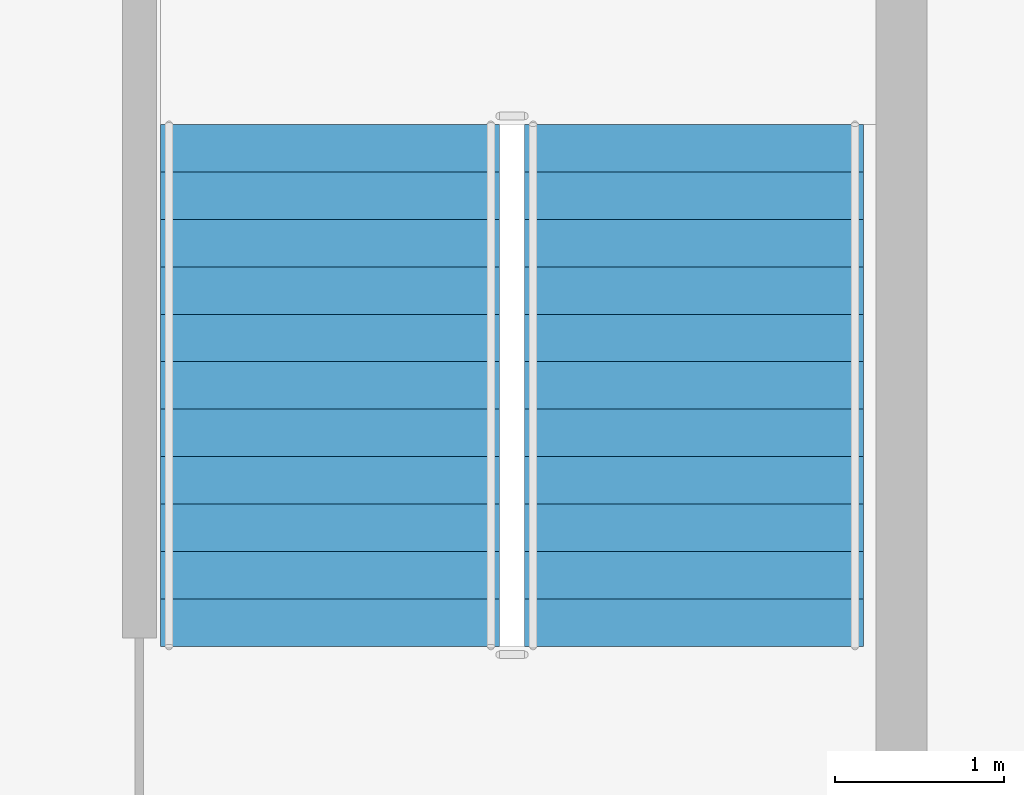
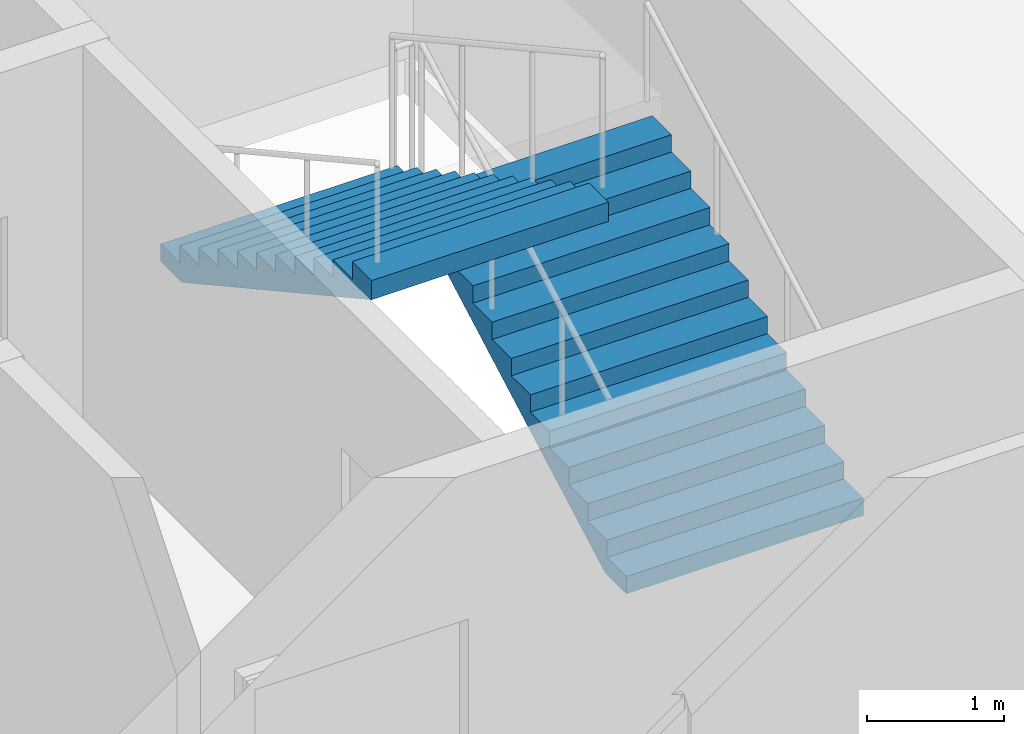
# One storey, part 9 of 11: 2 stair flights, 1 element without a shape of its own.
"""IFC4 building model written with IfcOpenShell, lengths in metres."""

import ifcopenshell
import ifcopenshell.guid

model = None  # the IFC model being written
_history = None  # IfcOwnerHistory: only IFC2X3 demands one
_inside = {}  # id of a spatial element -> (the spatial element, [elements in it])
_under = {}  # id of a project, library or spatial element -> (it, [spatial elements below it])
_declared = {}  # id of a project -> (the project, [libraries it declares])
_typed = {}  # id of a type object -> (the type object, [elements of that type])
_made_of = {}  # id of a material, layer set ... -> (it, [elements and type objects made of it])


def new_model(schema):
    """Start an empty IFC model of exactly this schema.

    Asked for "IFC4X3", IfcOpenShell would pick the latest addendum, in which some entities
    have other attributes; the version numbers below select the first issue.
    IFC2X3 requires an IfcOwnerHistory on every rooted entity: one is made here for all.
    """
    global model, _history
    if schema == "IFC4X3":
        model = ifcopenshell.file(schema_version=(4, 3, 0, 0))
    else:
        model = ifcopenshell.file(schema=schema)
    _inside.clear()
    _under.clear()
    _declared.clear()
    _typed.clear()
    _made_of.clear()
    _history = None
    if model.schema == "IFC2X3":
        org = make("IfcOrganization", Name="unknown")
        user = make(
            "IfcPersonAndOrganization",
            ThePerson=make("IfcPerson", FamilyName="unknown"),
            TheOrganization=org,
        )
        app = make(
            "IfcApplication",
            ApplicationDeveloper=org,
            Version="unknown",
            ApplicationFullName="unknown",
            ApplicationIdentifier="unknown",
        )
        _history = make(
            "IfcOwnerHistory",
            OwningUser=user,
            OwningApplication=app,
            ChangeAction="ADDED",
            CreationDate=0,
        )
    return model


def make(cls, **values):
    """One entity of the class cls with the attributes given. An attribute that is None is left unset."""
    return model.create_entity(
        cls, **{name: value for name, value in values.items() if value is not None}
    )


def rooted(cls, **values):
    """An entity with a GlobalId (a new one), such as an element, a storey or a relation."""
    return make(cls, GlobalId=ifcopenshell.guid.new(), OwnerHistory=_history, **values)


def si_unit(unit_type, name, prefix=None):
    """IfcSIUnit, for example si_unit("LENGTHUNIT", "METRE", prefix="MILLI")."""
    return make("IfcSIUnit", UnitType=unit_type, Prefix=prefix, Name=name)


def assignment(units):
    """IfcUnitAssignment: the units of a project."""
    return None if units is None else make("IfcUnitAssignment", Units=units)


def point(xyz):
    """IfcCartesianPoint."""
    return None if xyz is None else make("IfcCartesianPoint", Coordinates=xyz)


def direction(xyz):
    """IfcDirection."""
    return None if xyz is None else make("IfcDirection", DirectionRatios=xyz)


def frame(location, z_axis=None, x_axis=None):
    """IfcAxis2Placement3D, a coordinate frame: its origin and axes. An axis left out is left unset."""
    return make(
        "IfcAxis2Placement3D",
        Location=point(location),
        Axis=direction(z_axis),
        RefDirection=direction(x_axis),
    )


def origin():
    """The frame at (0, 0, 0) with its axes left unset."""
    return frame((0.0, 0.0, 0.0))


def place(relative_to, where):
    """IfcLocalPlacement: puts the frame where relative to a parent placement (None: the world)."""
    return make(
        "IfcLocalPlacement", PlacementRelTo=relative_to, RelativePlacement=where
    )


def context(
    kind, dimensions, precision=None, world=None, true_north=None, identifier=None
):
    """IfcGeometricRepresentationContext, for example the 3D "Model" context."""
    return make(
        "IfcGeometricRepresentationContext",
        ContextIdentifier=identifier,
        ContextType=kind,
        CoordinateSpaceDimension=dimensions,
        Precision=precision,
        WorldCoordinateSystem=world,
        TrueNorth=true_north,
    )


def subcontext(parent, identifier, kind, view, scale=None):
    """IfcGeometricRepresentationSubContext, for example "Body" below "Model"."""
    return make(
        "IfcGeometricRepresentationSubContext",
        ContextIdentifier=identifier,
        ContextType=kind,
        ParentContext=parent,
        TargetScale=scale,
        TargetView=view,
    )


def project(units=None, contexts=None):
    """IfcProject with its units and contexts."""
    return rooted(
        "IfcProject",
        Name="project",
        RepresentationContexts=contexts,
        UnitsInContext=assignment(units),
    )


def spatial(cls, under=None, at=None, **own):
    """A site, building, storey or space (cls), placed at a placement, below another one or the project."""
    s = rooted(cls, ObjectPlacement=at, **own)
    if under is not None:
        _under.setdefault(under.id(), (under, []))[1].append(s)
    return s


def point_list(points):
    """IfcCartesianPointList2D or 3D."""
    cls = (
        "IfcCartesianPointList2D" if len(points[0]) == 2 else "IfcCartesianPointList3D"
    )
    return make(cls, CoordList=points)


def polygons(points, faces, closed=None, point_numbers=None):
    """IfcPolygonalFaceSet: a face is its outer loop, then its inner loops; points numbered from 1."""
    made = []
    for loops in faces:
        if len(loops) == 1:
            made.append(make("IfcIndexedPolygonalFace", CoordIndex=loops[0]))
        else:
            made.append(
                make(
                    "IfcIndexedPolygonalFaceWithVoids",
                    CoordIndex=loops[0],
                    InnerCoordIndices=loops[1:],
                )
            )
    return make(
        "IfcPolygonalFaceSet",
        Coordinates=point_list(points),
        Closed=closed,
        Faces=made,
        PnIndex=point_numbers,
    )


def shape(context_of_items, identifier, shape_type, items):
    """IfcShapeRepresentation: the items that make up one representation, for example the "Body"."""
    return make(
        "IfcShapeRepresentation",
        ContextOfItems=context_of_items,
        RepresentationIdentifier=identifier,
        RepresentationType=shape_type,
        Items=items,
    )


def material(Name=None, Category=None):
    """IfcMaterial."""
    return make("IfcMaterial", Name=Name, Category=Category)


def made_of(thing, what):
    """Note that an element or type object is made of a material, layer set ...; save() writes the relation."""
    if what is not None:
        _made_of.setdefault(what.id(), (what, []))[1].append(thing)
    return thing


def type_object(cls, material=None, **own):
    """A type object (cls), such as IfcWallType, which elements share."""
    return made_of(rooted(cls, **own), material)


def element(
    cls,
    number,
    at=None,
    inside=None,
    cuts=None,
    type_object=None,
    material=None,
    context=None,
    identifier="Body",
    shape_type=None,
    held_by="IfcProductDefinitionShape",
    body=None,
    shapes=None,
    **own,
):
    """One element of the class cls, such as IfcWall. Its Tag is "e" and its number.

    at: its placement. inside: the storey or other place that contains it. cuts: it is an
    opening in that element (IfcRelVoidsElement). A single representation is given by context,
    identifier, shape_type and body (its items); several are given by shapes. held_by: the class
    of the entity that holds the representations. save() writes the other relations.
    """
    e = rooted(cls, Tag="e%d" % number, ObjectPlacement=at, **own)
    if body is not None:
        shapes = [shape(context, identifier, shape_type, body)]
    if shapes is not None:
        e.Representation = make(held_by, Representations=shapes)
    if inside is not None:
        _inside.setdefault(inside.id(), (inside, []))[1].append(e)
    if cuts is not None:
        rooted(
            "IfcRelVoidsElement", RelatingBuildingElement=cuts, RelatedOpeningElement=e
        )
    if type_object is not None:
        _typed.setdefault(type_object.id(), (type_object, []))[1].append(e)
    return made_of(e, material)


def aggregate(whole, parts):
    """IfcRelAggregates: a whole, such as a stair, and the parts it consists of."""
    return rooted("IfcRelAggregates", RelatingObject=whole, RelatedObjects=parts)


def save(model, path):
    """Write the relations noted so far, then the file.

    IfcRelAggregates (storeys below a building ...), IfcRelContainedInSpatialStructure (elements
    in a storey), IfcRelDefinesByType, IfcRelAssociatesMaterial and IfcRelDeclares: one each for
    every whole, place, type object, material and project.
    """
    for whole, parts in _under.values():
        aggregate(whole, parts)
    for where, things in _inside.values():
        rooted(
            "IfcRelContainedInSpatialStructure",
            RelatedElements=things,
            RelatingStructure=where,
        )
    for kind, things in _typed.values():
        rooted("IfcRelDefinesByType", RelatedObjects=things, RelatingType=kind)
    for what, things in _made_of.values():
        rooted("IfcRelAssociatesMaterial", RelatedObjects=things, RelatingMaterial=what)
    for by, libraries in _declared.values():
        rooted("IfcRelDeclares", RelatingContext=by, RelatedDefinitions=libraries)
    model.write(path)


model = new_model("IFC4")

# Units and contexts
model_context = context("Model", 3, precision=1e-05, world=origin(), true_north=direction((0.0, 1.0)))
body_context = subcontext(model_context, "Body", "Model", "MODEL_VIEW")
ifc_project = project(units=[si_unit("LENGTHUNIT", "METRE"), si_unit("AREAUNIT", "SQUARE_METRE"), si_unit("VOLUMEUNIT", "CUBIC_METRE"), si_unit("PLANEANGLEUNIT", "RADIAN"), si_unit("MASSUNIT", "GRAM", prefix="KILO")], contexts=[model_context])

# Site, building, storey
site_placement = place(None, origin())
site = spatial("IfcSite", under=ifc_project, at=site_placement, CompositionType="ELEMENT")
building_placement = place(site_placement, origin())
building = spatial("IfcBuilding", under=site, at=building_placement, Name="Caravel Reach Hotel and Residences", CompositionType="ELEMENT")
storey_placement = place(building_placement, frame((0.0, 0.0, 210.89990234375)))
storey = spatial("IfcBuildingStorey", under=building, at=storey_placement, Name="L53", CompositionType="ELEMENT", Elevation=210.89990234375)

# Stair, stair flights
ifc_material_1 = material(Name="Concrete C40", Category="concrete")
stair_type = type_object("IfcStairType", Name="Core stair", PredefinedType="HALF_TURN_STAIR", material=ifc_material_1)
stair_placement = place(storey_placement, origin())
stair = element("IfcStair", 1, at=stair_placement, inside=storey, type_object=stair_type, Name="L53 Exit stair B", PredefinedType="HALF_TURN_STAIR")
ifc_material_2 = material(Name="Concrete C40", Category="concrete")
stair_flight_type = type_object("IfcStairFlightType", Name="Core stair flight", PredefinedType="STRAIGHT", material=ifc_material_2)
stair_flight_1_placement = place(storey_placement, frame((43.77490234375, 24.64990234375, 0.0), z_axis=(0.0, 0.0, 1.0), x_axis=(0.0, 1.0, 0.0)))
stair_flight_1 = element("IfcStairFlight", 2, at=stair_flight_1_placement, type_object=stair_flight_type, Name="ST-B flight 1", NumberOfRisers=12, NumberOfTreads=11, PredefinedType="STRAIGHT", RiserHeight=0.154166667, TreadLength=0.28, context=body_context, shape_type="Tessellation", body=[
    polygons([(0.3107950034306102, 1.0, 0.0), (0.3107950034306102, 0.6666666666666667, 0.0), (0.3107950034306102, 0.33333333333333337, 0.0), (0.3107950034306102, 0.0, 0.0), (0.3107950034306102, -0.33333333333333326, 0.0), (0.3107950034306102, -0.6666666666666667, 0.0), (0.3107950034306102, -1.0, 0.0), (3.081, 1.0, 1.524711087717319), (3.081, 0.6666666666666667, 1.524711087717319), (3.081, 0.33333333333333337, 1.524711087717319), (3.081, 0.0, 1.524711087717319), (3.081, -0.33333333333333326, 1.524711087717319), (3.081, -0.6666666666666667, 1.524711087717319), (3.081, -1.0, 1.524711087717319), (3.081, 1.0, 1.695833337), (3.081, 0.6666666666666667, 1.695833337), (3.081, 0.33333333333333337, 1.695833337), (3.081, 0.0, 1.695833337), (3.081, -0.33333333333333326, 1.695833337), (3.081, -0.6666666666666667, 1.695833337), (3.081, -1.0, 1.695833337), (2.8000000000000003, 1.0, 1.695833337), (2.8000000000000003, 0.6666666666666667, 1.695833337), (2.8000000000000003, 0.33333333333333337, 1.695833337), (2.8000000000000003, 0.0, 1.695833337), (2.8000000000000003, -0.33333333333333326, 1.695833337), (2.8000000000000003, -0.6666666666666667, 1.695833337), (2.8000000000000003, -1.0, 1.695833337), (2.8000000000000003, 1.0, 1.5416666700000001), (2.8000000000000003, 0.6666666666666667, 1.5416666700000001), (2.8000000000000003, 0.33333333333333337, 1.5416666700000001), (2.8000000000000003, 0.0, 1.5416666700000001), (2.8000000000000003, -0.33333333333333326, 1.5416666700000001), (2.8000000000000003, -0.6666666666666667, 1.5416666700000001), (2.8000000000000003, -1.0, 1.5416666700000001), (2.5200000000000005, 1.0, 1.5416666700000001), (2.5200000000000005, 0.6666666666666667, 1.5416666700000001), (2.5200000000000005, 0.33333333333333337, 1.5416666700000001), (2.5200000000000005, 0.0, 1.5416666700000001), (2.5200000000000005, -0.33333333333333326, 1.5416666700000001), (2.5200000000000005, -0.6666666666666667, 1.5416666700000001), (2.5200000000000005, -1.0, 1.5416666700000001), (2.5200000000000005, 1.0, 1.387500003), (2.5200000000000005, 0.6666666666666667, 1.387500003), (2.5200000000000005, 0.33333333333333337, 1.387500003), (2.5200000000000005, 0.0, 1.387500003), (2.5200000000000005, -0.33333333333333326, 1.387500003), (2.5200000000000005, -0.6666666666666667, 1.387500003), (2.5200000000000005, -1.0, 1.387500003), (2.24, 1.0, 1.387500003), (2.24, 0.6666666666666667, 1.387500003), (2.24, 0.33333333333333337, 1.387500003), (2.24, 0.0, 1.387500003), (2.24, -0.33333333333333326, 1.387500003), (2.24, -0.6666666666666667, 1.387500003), (2.24, -1.0, 1.387500003), (2.24, 1.0, 1.233333336), (2.24, 0.6666666666666667, 1.233333336), (2.24, 0.33333333333333337, 1.233333336), (2.24, 0.0, 1.233333336), (2.24, -0.33333333333333326, 1.233333336), (2.24, -0.6666666666666667, 1.233333336), (2.24, -1.0, 1.233333336), (1.9600000000000002, 1.0, 1.233333336), (1.9600000000000002, 0.6666666666666667, 1.233333336), (1.9600000000000002, 0.33333333333333337, 1.233333336), (1.9600000000000002, 0.0, 1.233333336), (1.9600000000000002, -0.33333333333333326, 1.233333336), (1.9600000000000002, -0.6666666666666667, 1.233333336), (1.9600000000000002, -1.0, 1.233333336), (1.9600000000000002, 1.0, 1.0791666690000001), (1.9600000000000002, 0.6666666666666667, 1.0791666690000001), (1.9600000000000002, 0.33333333333333337, 1.0791666690000001), (1.9600000000000002, 0.0, 1.0791666690000001), (1.9600000000000002, -0.33333333333333326, 1.0791666690000001), (1.9600000000000002, -0.6666666666666667, 1.0791666690000001), (1.9600000000000002, -1.0, 1.0791666690000001), (1.6800000000000002, 1.0, 1.0791666690000001), (1.6800000000000002, 0.6666666666666667, 1.0791666690000001), (1.6800000000000002, 0.33333333333333337, 1.0791666690000001), (1.6800000000000002, 0.0, 1.0791666690000001), (1.6800000000000002, -0.33333333333333326, 1.0791666690000001), (1.6800000000000002, -0.6666666666666667, 1.0791666690000001), (1.6800000000000002, -1.0, 1.0791666690000001), (1.6800000000000002, 1.0, 0.925000002), (1.6800000000000002, 0.6666666666666667, 0.925000002), (1.6800000000000002, 0.33333333333333337, 0.925000002), (1.6800000000000002, 0.0, 0.925000002), (1.6800000000000002, -0.33333333333333326, 0.925000002), (1.6800000000000002, -0.6666666666666667, 0.925000002), (1.6800000000000002, -1.0, 0.925000002), (1.4000000000000001, 1.0, 0.925000002), (1.4000000000000001, 0.6666666666666667, 0.925000002), (1.4000000000000001, 0.33333333333333337, 0.925000002), (1.4000000000000001, 0.0, 0.925000002), (1.4000000000000001, -0.33333333333333326, 0.925000002), (1.4000000000000001, -0.6666666666666667, 0.925000002), (1.4000000000000001, -1.0, 0.925000002), (1.4000000000000001, 1.0, 0.7708333350000001), (1.4000000000000001, 0.6666666666666667, 0.7708333350000001), (1.4000000000000001, 0.33333333333333337, 0.7708333350000001), (1.4000000000000001, 0.0, 0.7708333350000001), (1.4000000000000001, -0.33333333333333326, 0.7708333350000001), (1.4000000000000001, -0.6666666666666667, 0.7708333350000001), (1.4000000000000001, -1.0, 0.7708333350000001), (1.12, 1.0, 0.7708333350000001), (1.12, 0.6666666666666667, 0.7708333350000001), (1.12, 0.33333333333333337, 0.7708333350000001), (1.12, 0.0, 0.7708333350000001), (1.12, -0.33333333333333326, 0.7708333350000001), (1.12, -0.6666666666666667, 0.7708333350000001), (1.12, -1.0, 0.7708333350000001), (1.12, 1.0, 0.616666668), (1.12, 0.6666666666666667, 0.616666668), (1.12, 0.33333333333333337, 0.616666668), (1.12, 0.0, 0.616666668), (1.12, -0.33333333333333326, 0.616666668), (1.12, -0.6666666666666667, 0.616666668), (1.12, -1.0, 0.616666668), (0.8400000000000001, 1.0, 0.616666668), (0.8400000000000001, 0.6666666666666667, 0.616666668), (0.8400000000000001, 0.33333333333333337, 0.616666668), (0.8400000000000001, 0.0, 0.616666668), (0.8400000000000001, -0.33333333333333326, 0.616666668), (0.8400000000000001, -0.6666666666666667, 0.616666668), (0.8400000000000001, -1.0, 0.616666668), (0.8400000000000001, 1.0, 0.462500001), (0.8400000000000001, 0.6666666666666667, 0.462500001), (0.8400000000000001, 0.33333333333333337, 0.462500001), (0.8400000000000001, 0.0, 0.462500001), (0.8400000000000001, -0.33333333333333326, 0.462500001), (0.8400000000000001, -0.6666666666666667, 0.462500001), (0.8400000000000001, -1.0, 0.462500001), (0.56, 1.0, 0.462500001), (0.56, 0.6666666666666667, 0.462500001), (0.56, 0.33333333333333337, 0.462500001), (0.56, 0.0, 0.462500001), (0.56, -0.33333333333333326, 0.462500001), (0.56, -0.6666666666666667, 0.462500001), (0.56, -1.0, 0.462500001), (0.56, 1.0, 0.308333334), (0.56, 0.6666666666666667, 0.308333334), (0.56, 0.33333333333333337, 0.308333334), (0.56, 0.0, 0.308333334), (0.56, -0.33333333333333326, 0.308333334), (0.56, -0.6666666666666667, 0.308333334), (0.56, -1.0, 0.308333334), (0.28, 1.0, 0.308333334), (0.28, 0.6666666666666667, 0.308333334), (0.28, 0.33333333333333337, 0.308333334), (0.28, 0.0, 0.308333334), (0.28, -0.33333333333333326, 0.308333334), (0.28, -0.6666666666666667, 0.308333334), (0.28, -1.0, 0.308333334), (0.28, 1.0, 0.154166667), (0.28, 0.6666666666666667, 0.154166667), (0.28, 0.33333333333333337, 0.154166667), (0.28, 0.0, 0.154166667), (0.28, -0.33333333333333326, 0.154166667), (0.28, -0.6666666666666667, 0.154166667), (0.28, -1.0, 0.154166667), (-0.001, 1.0, 0.154166667), (-0.001, 0.6666666666666667, 0.154166667), (-0.001, 0.33333333333333337, 0.154166667), (-0.001, 0.0, 0.154166667), (-0.001, -0.33333333333333326, 0.154166667), (-0.001, -0.6666666666666667, 0.154166667), (-0.001, -1.0, 0.154166667), (-0.001, 1.0, 0.0), (-0.001, 0.6666666666666667, 0.0), (-0.001, 0.33333333333333337, 0.0), (-0.001, 0.0, 0.0), (-0.001, -0.33333333333333326, 0.0), (-0.001, -0.6666666666666667, 0.0), (-0.001, -1.0, 0.0)], [[[169, 162, 155, 148, 141, 134, 127, 120, 113, 106, 99, 92, 85, 78, 71, 64, 57, 50, 43, 36, 29, 22, 15, 8, 1]], [[7, 14, 21, 28, 35, 42, 49, 56, 63, 70, 77, 84, 91, 98, 105, 112, 119, 126, 133, 140, 147, 154, 161, 168, 175]], [[1, 8, 9, 2]], [[2, 9, 10, 3]], [[3, 10, 11, 4]], [[4, 11, 12, 5]], [[5, 12, 13, 6]], [[6, 13, 14, 7]], [[8, 15, 16, 9]], [[9, 16, 17, 10]], [[10, 17, 18, 11]], [[11, 18, 19, 12]], [[12, 19, 20, 13]], [[13, 20, 21, 14]], [[15, 22, 23, 16]], [[16, 23, 24, 17]], [[17, 24, 25, 18]], [[18, 25, 26, 19]], [[19, 26, 27, 20]], [[20, 27, 28, 21]], [[22, 29, 30, 23]], [[23, 30, 31, 24]], [[24, 31, 32, 25]], [[25, 32, 33, 26]], [[26, 33, 34, 27]], [[27, 34, 35, 28]], [[29, 36, 37, 30]], [[30, 37, 38, 31]], [[31, 38, 39, 32]], [[32, 39, 40, 33]], [[33, 40, 41, 34]], [[34, 41, 42, 35]], [[36, 43, 44, 37]], [[37, 44, 45, 38]], [[38, 45, 46, 39]], [[39, 46, 47, 40]], [[40, 47, 48, 41]], [[41, 48, 49, 42]], [[43, 50, 51, 44]], [[44, 51, 52, 45]], [[45, 52, 53, 46]], [[46, 53, 54, 47]], [[47, 54, 55, 48]], [[48, 55, 56, 49]], [[50, 57, 58, 51]], [[51, 58, 59, 52]], [[52, 59, 60, 53]], [[53, 60, 61, 54]], [[54, 61, 62, 55]], [[55, 62, 63, 56]], [[57, 64, 65, 58]], [[58, 65, 66, 59]], [[59, 66, 67, 60]], [[60, 67, 68, 61]], [[61, 68, 69, 62]], [[62, 69, 70, 63]], [[64, 71, 72, 65]], [[65, 72, 73, 66]], [[66, 73, 74, 67]], [[67, 74, 75, 68]], [[68, 75, 76, 69]], [[69, 76, 77, 70]], [[71, 78, 79, 72]], [[72, 79, 80, 73]], [[73, 80, 81, 74]], [[74, 81, 82, 75]], [[75, 82, 83, 76]], [[76, 83, 84, 77]], [[78, 85, 86, 79]], [[79, 86, 87, 80]], [[80, 87, 88, 81]], [[81, 88, 89, 82]], [[82, 89, 90, 83]], [[83, 90, 91, 84]], [[85, 92, 93, 86]], [[86, 93, 94, 87]], [[87, 94, 95, 88]], [[88, 95, 96, 89]], [[89, 96, 97, 90]], [[90, 97, 98, 91]], [[92, 99, 100, 93]], [[93, 100, 101, 94]], [[94, 101, 102, 95]], [[95, 102, 103, 96]], [[96, 103, 104, 97]], [[97, 104, 105, 98]], [[99, 106, 107, 100]], [[100, 107, 108, 101]], [[101, 108, 109, 102]], [[102, 109, 110, 103]], [[103, 110, 111, 104]], [[104, 111, 112, 105]], [[106, 113, 114, 107]], [[107, 114, 115, 108]], [[108, 115, 116, 109]], [[109, 116, 117, 110]], [[110, 117, 118, 111]], [[111, 118, 119, 112]], [[113, 120, 121, 114]], [[114, 121, 122, 115]], [[115, 122, 123, 116]], [[116, 123, 124, 117]], [[117, 124, 125, 118]], [[118, 125, 126, 119]], [[120, 127, 128, 121]], [[121, 128, 129, 122]], [[122, 129, 130, 123]], [[123, 130, 131, 124]], [[124, 131, 132, 125]], [[125, 132, 133, 126]], [[127, 134, 135, 128]], [[128, 135, 136, 129]], [[129, 136, 137, 130]], [[130, 137, 138, 131]], [[131, 138, 139, 132]], [[132, 139, 140, 133]], [[134, 141, 142, 135]], [[135, 142, 143, 136]], [[136, 143, 144, 137]], [[137, 144, 145, 138]], [[138, 145, 146, 139]], [[139, 146, 147, 140]], [[141, 148, 149, 142]], [[142, 149, 150, 143]], [[143, 150, 151, 144]], [[144, 151, 152, 145]], [[145, 152, 153, 146]], [[146, 153, 154, 147]], [[148, 155, 156, 149]], [[149, 156, 157, 150]], [[150, 157, 158, 151]], [[151, 158, 159, 152]], [[152, 159, 160, 153]], [[153, 160, 161, 154]], [[155, 162, 163, 156]], [[156, 163, 164, 157]], [[157, 164, 165, 158]], [[158, 165, 166, 159]], [[159, 166, 167, 160]], [[160, 167, 168, 161]], [[162, 169, 170, 163]], [[163, 170, 171, 164]], [[164, 171, 172, 165]], [[165, 172, 173, 166]], [[166, 173, 174, 167]], [[167, 174, 175, 168]], [[169, 1, 2, 170]], [[170, 2, 3, 171]], [[171, 3, 4, 172]], [[172, 4, 5, 173]], [[173, 5, 6, 174]], [[174, 6, 7, 175]]], closed=True),
])
stair_flight_2_placement = place(storey_placement, frame((41.625, 27.72998046875, 1.85009765625), z_axis=(0.0, 0.0, 1.0), x_axis=(0.0, -1.0, 0.0)))
stair_flight_2 = element("IfcStairFlight", 3, at=stair_flight_2_placement, type_object=stair_flight_type, Name="ST-B flight 2", NumberOfRisers=12, NumberOfTreads=11, PredefinedType="STRAIGHT", RiserHeight=0.154166667, TreadLength=0.28, context=body_context, shape_type="Tessellation", body=[
    polygons([(0.3107950034306102, 1.0, 0.0), (0.3107950034306102, 0.6666666666666667, 0.0), (0.3107950034306102, 0.33333333333333337, 0.0), (0.3107950034306102, 0.0, 0.0), (0.3107950034306102, -0.33333333333333326, 0.0), (0.3107950034306102, -0.6666666666666667, 0.0), (0.3107950034306102, -1.0, 0.0), (3.081, 1.0, 1.524711087717319), (3.081, 0.6666666666666667, 1.524711087717319), (3.081, 0.33333333333333337, 1.524711087717319), (3.081, 0.0, 1.524711087717319), (3.081, -0.33333333333333326, 1.524711087717319), (3.081, -0.6666666666666667, 1.524711087717319), (3.081, -1.0, 1.524711087717319), (3.081, 1.0, 1.695833337), (3.081, 0.6666666666666667, 1.695833337), (3.081, 0.33333333333333337, 1.695833337), (3.081, 0.0, 1.695833337), (3.081, -0.33333333333333326, 1.695833337), (3.081, -0.6666666666666667, 1.695833337), (3.081, -1.0, 1.695833337), (2.8000000000000003, 1.0, 1.695833337), (2.8000000000000003, 0.6666666666666667, 1.695833337), (2.8000000000000003, 0.33333333333333337, 1.695833337), (2.8000000000000003, 0.0, 1.695833337), (2.8000000000000003, -0.33333333333333326, 1.695833337), (2.8000000000000003, -0.6666666666666667, 1.695833337), (2.8000000000000003, -1.0, 1.695833337), (2.8000000000000003, 1.0, 1.5416666700000001), (2.8000000000000003, 0.6666666666666667, 1.5416666700000001), (2.8000000000000003, 0.33333333333333337, 1.5416666700000001), (2.8000000000000003, 0.0, 1.5416666700000001), (2.8000000000000003, -0.33333333333333326, 1.5416666700000001), (2.8000000000000003, -0.6666666666666667, 1.5416666700000001), (2.8000000000000003, -1.0, 1.5416666700000001), (2.5200000000000005, 1.0, 1.5416666700000001), (2.5200000000000005, 0.6666666666666667, 1.5416666700000001), (2.5200000000000005, 0.33333333333333337, 1.5416666700000001), (2.5200000000000005, 0.0, 1.5416666700000001), (2.5200000000000005, -0.33333333333333326, 1.5416666700000001), (2.5200000000000005, -0.6666666666666667, 1.5416666700000001), (2.5200000000000005, -1.0, 1.5416666700000001), (2.5200000000000005, 1.0, 1.387500003), (2.5200000000000005, 0.6666666666666667, 1.387500003), (2.5200000000000005, 0.33333333333333337, 1.387500003), (2.5200000000000005, 0.0, 1.387500003), (2.5200000000000005, -0.33333333333333326, 1.387500003), (2.5200000000000005, -0.6666666666666667, 1.387500003), (2.5200000000000005, -1.0, 1.387500003), (2.24, 1.0, 1.387500003), (2.24, 0.6666666666666667, 1.387500003), (2.24, 0.33333333333333337, 1.387500003), (2.24, 0.0, 1.387500003), (2.24, -0.33333333333333326, 1.387500003), (2.24, -0.6666666666666667, 1.387500003), (2.24, -1.0, 1.387500003), (2.24, 1.0, 1.233333336), (2.24, 0.6666666666666667, 1.233333336), (2.24, 0.33333333333333337, 1.233333336), (2.24, 0.0, 1.233333336), (2.24, -0.33333333333333326, 1.233333336), (2.24, -0.6666666666666667, 1.233333336), (2.24, -1.0, 1.233333336), (1.9600000000000002, 1.0, 1.233333336), (1.9600000000000002, 0.6666666666666667, 1.233333336), (1.9600000000000002, 0.33333333333333337, 1.233333336), (1.9600000000000002, 0.0, 1.233333336), (1.9600000000000002, -0.33333333333333326, 1.233333336), (1.9600000000000002, -0.6666666666666667, 1.233333336), (1.9600000000000002, -1.0, 1.233333336), (1.9600000000000002, 1.0, 1.0791666690000001), (1.9600000000000002, 0.6666666666666667, 1.0791666690000001), (1.9600000000000002, 0.33333333333333337, 1.0791666690000001), (1.9600000000000002, 0.0, 1.0791666690000001), (1.9600000000000002, -0.33333333333333326, 1.0791666690000001), (1.9600000000000002, -0.6666666666666667, 1.0791666690000001), (1.9600000000000002, -1.0, 1.0791666690000001), (1.6800000000000002, 1.0, 1.0791666690000001), (1.6800000000000002, 0.6666666666666667, 1.0791666690000001), (1.6800000000000002, 0.33333333333333337, 1.0791666690000001), (1.6800000000000002, 0.0, 1.0791666690000001), (1.6800000000000002, -0.33333333333333326, 1.0791666690000001), (1.6800000000000002, -0.6666666666666667, 1.0791666690000001), (1.6800000000000002, -1.0, 1.0791666690000001), (1.6800000000000002, 1.0, 0.925000002), (1.6800000000000002, 0.6666666666666667, 0.925000002), (1.6800000000000002, 0.33333333333333337, 0.925000002), (1.6800000000000002, 0.0, 0.925000002), (1.6800000000000002, -0.33333333333333326, 0.925000002), (1.6800000000000002, -0.6666666666666667, 0.925000002), (1.6800000000000002, -1.0, 0.925000002), (1.4000000000000001, 1.0, 0.925000002), (1.4000000000000001, 0.6666666666666667, 0.925000002), (1.4000000000000001, 0.33333333333333337, 0.925000002), (1.4000000000000001, 0.0, 0.925000002), (1.4000000000000001, -0.33333333333333326, 0.925000002), (1.4000000000000001, -0.6666666666666667, 0.925000002), (1.4000000000000001, -1.0, 0.925000002), (1.4000000000000001, 1.0, 0.7708333350000001), (1.4000000000000001, 0.6666666666666667, 0.7708333350000001), (1.4000000000000001, 0.33333333333333337, 0.7708333350000001), (1.4000000000000001, 0.0, 0.7708333350000001), (1.4000000000000001, -0.33333333333333326, 0.7708333350000001), (1.4000000000000001, -0.6666666666666667, 0.7708333350000001), (1.4000000000000001, -1.0, 0.7708333350000001), (1.12, 1.0, 0.7708333350000001), (1.12, 0.6666666666666667, 0.7708333350000001), (1.12, 0.33333333333333337, 0.7708333350000001), (1.12, 0.0, 0.7708333350000001), (1.12, -0.33333333333333326, 0.7708333350000001), (1.12, -0.6666666666666667, 0.7708333350000001), (1.12, -1.0, 0.7708333350000001), (1.12, 1.0, 0.616666668), (1.12, 0.6666666666666667, 0.616666668), (1.12, 0.33333333333333337, 0.616666668), (1.12, 0.0, 0.616666668), (1.12, -0.33333333333333326, 0.616666668), (1.12, -0.6666666666666667, 0.616666668), (1.12, -1.0, 0.616666668), (0.8400000000000001, 1.0, 0.616666668), (0.8400000000000001, 0.6666666666666667, 0.616666668), (0.8400000000000001, 0.33333333333333337, 0.616666668), (0.8400000000000001, 0.0, 0.616666668), (0.8400000000000001, -0.33333333333333326, 0.616666668), (0.8400000000000001, -0.6666666666666667, 0.616666668), (0.8400000000000001, -1.0, 0.616666668), (0.8400000000000001, 1.0, 0.462500001), (0.8400000000000001, 0.6666666666666667, 0.462500001), (0.8400000000000001, 0.33333333333333337, 0.462500001), (0.8400000000000001, 0.0, 0.462500001), (0.8400000000000001, -0.33333333333333326, 0.462500001), (0.8400000000000001, -0.6666666666666667, 0.462500001), (0.8400000000000001, -1.0, 0.462500001), (0.56, 1.0, 0.462500001), (0.56, 0.6666666666666667, 0.462500001), (0.56, 0.33333333333333337, 0.462500001), (0.56, 0.0, 0.462500001), (0.56, -0.33333333333333326, 0.462500001), (0.56, -0.6666666666666667, 0.462500001), (0.56, -1.0, 0.462500001), (0.56, 1.0, 0.308333334), (0.56, 0.6666666666666667, 0.308333334), (0.56, 0.33333333333333337, 0.308333334), (0.56, 0.0, 0.308333334), (0.56, -0.33333333333333326, 0.308333334), (0.56, -0.6666666666666667, 0.308333334), (0.56, -1.0, 0.308333334), (0.28, 1.0, 0.308333334), (0.28, 0.6666666666666667, 0.308333334), (0.28, 0.33333333333333337, 0.308333334), (0.28, 0.0, 0.308333334), (0.28, -0.33333333333333326, 0.308333334), (0.28, -0.6666666666666667, 0.308333334), (0.28, -1.0, 0.308333334), (0.28, 1.0, 0.154166667), (0.28, 0.6666666666666667, 0.154166667), (0.28, 0.33333333333333337, 0.154166667), (0.28, 0.0, 0.154166667), (0.28, -0.33333333333333326, 0.154166667), (0.28, -0.6666666666666667, 0.154166667), (0.28, -1.0, 0.154166667), (-0.001, 1.0, 0.154166667), (-0.001, 0.6666666666666667, 0.154166667), (-0.001, 0.33333333333333337, 0.154166667), (-0.001, 0.0, 0.154166667), (-0.001, -0.33333333333333326, 0.154166667), (-0.001, -0.6666666666666667, 0.154166667), (-0.001, -1.0, 0.154166667), (-0.001, 1.0, 0.0), (-0.001, 0.6666666666666667, 0.0), (-0.001, 0.33333333333333337, 0.0), (-0.001, 0.0, 0.0), (-0.001, -0.33333333333333326, 0.0), (-0.001, -0.6666666666666667, 0.0), (-0.001, -1.0, 0.0)], [[[169, 162, 155, 148, 141, 134, 127, 120, 113, 106, 99, 92, 85, 78, 71, 64, 57, 50, 43, 36, 29, 22, 15, 8, 1]], [[7, 14, 21, 28, 35, 42, 49, 56, 63, 70, 77, 84, 91, 98, 105, 112, 119, 126, 133, 140, 147, 154, 161, 168, 175]], [[1, 8, 9, 2]], [[2, 9, 10, 3]], [[3, 10, 11, 4]], [[4, 11, 12, 5]], [[5, 12, 13, 6]], [[6, 13, 14, 7]], [[8, 15, 16, 9]], [[9, 16, 17, 10]], [[10, 17, 18, 11]], [[11, 18, 19, 12]], [[12, 19, 20, 13]], [[13, 20, 21, 14]], [[15, 22, 23, 16]], [[16, 23, 24, 17]], [[17, 24, 25, 18]], [[18, 25, 26, 19]], [[19, 26, 27, 20]], [[20, 27, 28, 21]], [[22, 29, 30, 23]], [[23, 30, 31, 24]], [[24, 31, 32, 25]], [[25, 32, 33, 26]], [[26, 33, 34, 27]], [[27, 34, 35, 28]], [[29, 36, 37, 30]], [[30, 37, 38, 31]], [[31, 38, 39, 32]], [[32, 39, 40, 33]], [[33, 40, 41, 34]], [[34, 41, 42, 35]], [[36, 43, 44, 37]], [[37, 44, 45, 38]], [[38, 45, 46, 39]], [[39, 46, 47, 40]], [[40, 47, 48, 41]], [[41, 48, 49, 42]], [[43, 50, 51, 44]], [[44, 51, 52, 45]], [[45, 52, 53, 46]], [[46, 53, 54, 47]], [[47, 54, 55, 48]], [[48, 55, 56, 49]], [[50, 57, 58, 51]], [[51, 58, 59, 52]], [[52, 59, 60, 53]], [[53, 60, 61, 54]], [[54, 61, 62, 55]], [[55, 62, 63, 56]], [[57, 64, 65, 58]], [[58, 65, 66, 59]], [[59, 66, 67, 60]], [[60, 67, 68, 61]], [[61, 68, 69, 62]], [[62, 69, 70, 63]], [[64, 71, 72, 65]], [[65, 72, 73, 66]], [[66, 73, 74, 67]], [[67, 74, 75, 68]], [[68, 75, 76, 69]], [[69, 76, 77, 70]], [[71, 78, 79, 72]], [[72, 79, 80, 73]], [[73, 80, 81, 74]], [[74, 81, 82, 75]], [[75, 82, 83, 76]], [[76, 83, 84, 77]], [[78, 85, 86, 79]], [[79, 86, 87, 80]], [[80, 87, 88, 81]], [[81, 88, 89, 82]], [[82, 89, 90, 83]], [[83, 90, 91, 84]], [[85, 92, 93, 86]], [[86, 93, 94, 87]], [[87, 94, 95, 88]], [[88, 95, 96, 89]], [[89, 96, 97, 90]], [[90, 97, 98, 91]], [[92, 99, 100, 93]], [[93, 100, 101, 94]], [[94, 101, 102, 95]], [[95, 102, 103, 96]], [[96, 103, 104, 97]], [[97, 104, 105, 98]], [[99, 106, 107, 100]], [[100, 107, 108, 101]], [[101, 108, 109, 102]], [[102, 109, 110, 103]], [[103, 110, 111, 104]], [[104, 111, 112, 105]], [[106, 113, 114, 107]], [[107, 114, 115, 108]], [[108, 115, 116, 109]], [[109, 116, 117, 110]], [[110, 117, 118, 111]], [[111, 118, 119, 112]], [[113, 120, 121, 114]], [[114, 121, 122, 115]], [[115, 122, 123, 116]], [[116, 123, 124, 117]], [[117, 124, 125, 118]], [[118, 125, 126, 119]], [[120, 127, 128, 121]], [[121, 128, 129, 122]], [[122, 129, 130, 123]], [[123, 130, 131, 124]], [[124, 131, 132, 125]], [[125, 132, 133, 126]], [[127, 134, 135, 128]], [[128, 135, 136, 129]], [[129, 136, 137, 130]], [[130, 137, 138, 131]], [[131, 138, 139, 132]], [[132, 139, 140, 133]], [[134, 141, 142, 135]], [[135, 142, 143, 136]], [[136, 143, 144, 137]], [[137, 144, 145, 138]], [[138, 145, 146, 139]], [[139, 146, 147, 140]], [[141, 148, 149, 142]], [[142, 149, 150, 143]], [[143, 150, 151, 144]], [[144, 151, 152, 145]], [[145, 152, 153, 146]], [[146, 153, 154, 147]], [[148, 155, 156, 149]], [[149, 156, 157, 150]], [[150, 157, 158, 151]], [[151, 158, 159, 152]], [[152, 159, 160, 153]], [[153, 160, 161, 154]], [[155, 162, 163, 156]], [[156, 163, 164, 157]], [[157, 164, 165, 158]], [[158, 165, 166, 159]], [[159, 166, 167, 160]], [[160, 167, 168, 161]], [[162, 169, 170, 163]], [[163, 170, 171, 164]], [[164, 171, 172, 165]], [[165, 172, 173, 166]], [[166, 173, 174, 167]], [[167, 174, 175, 168]], [[169, 1, 2, 170]], [[170, 2, 3, 171]], [[171, 3, 4, 172]], [[172, 4, 5, 173]], [[173, 5, 6, 174]], [[174, 6, 7, 175]]], closed=True),
])
aggregate(stair, [stair_flight_1, stair_flight_2])

save(model, "model.ifc")
